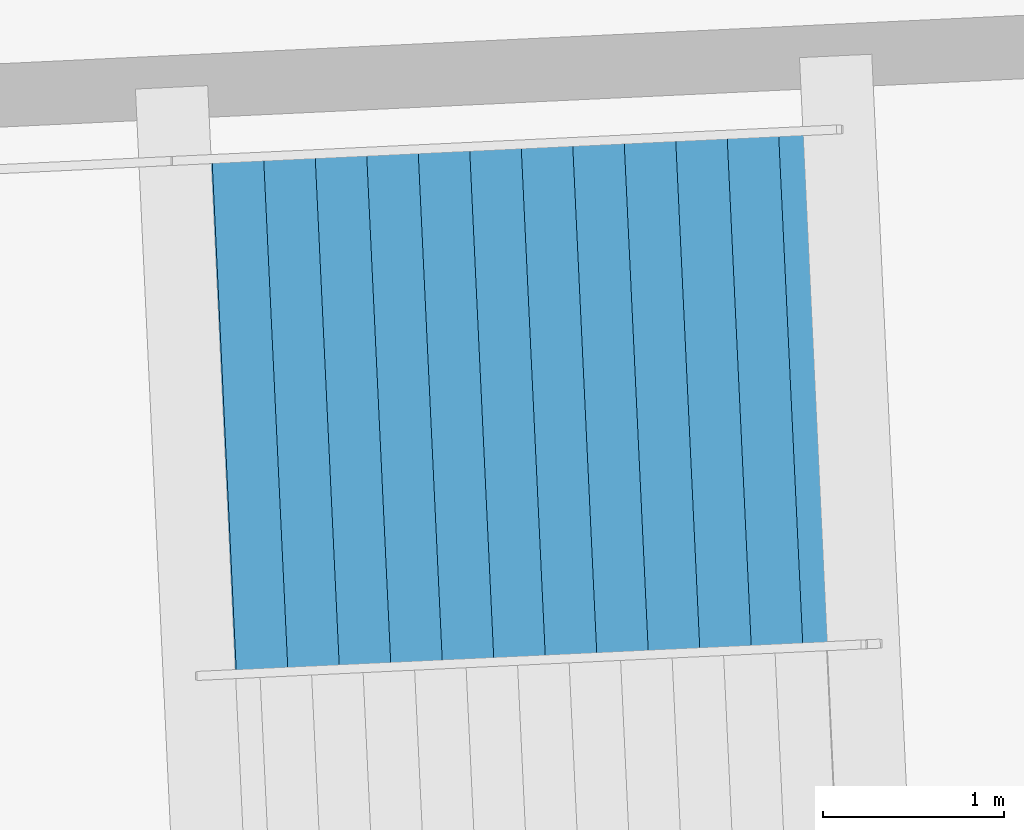
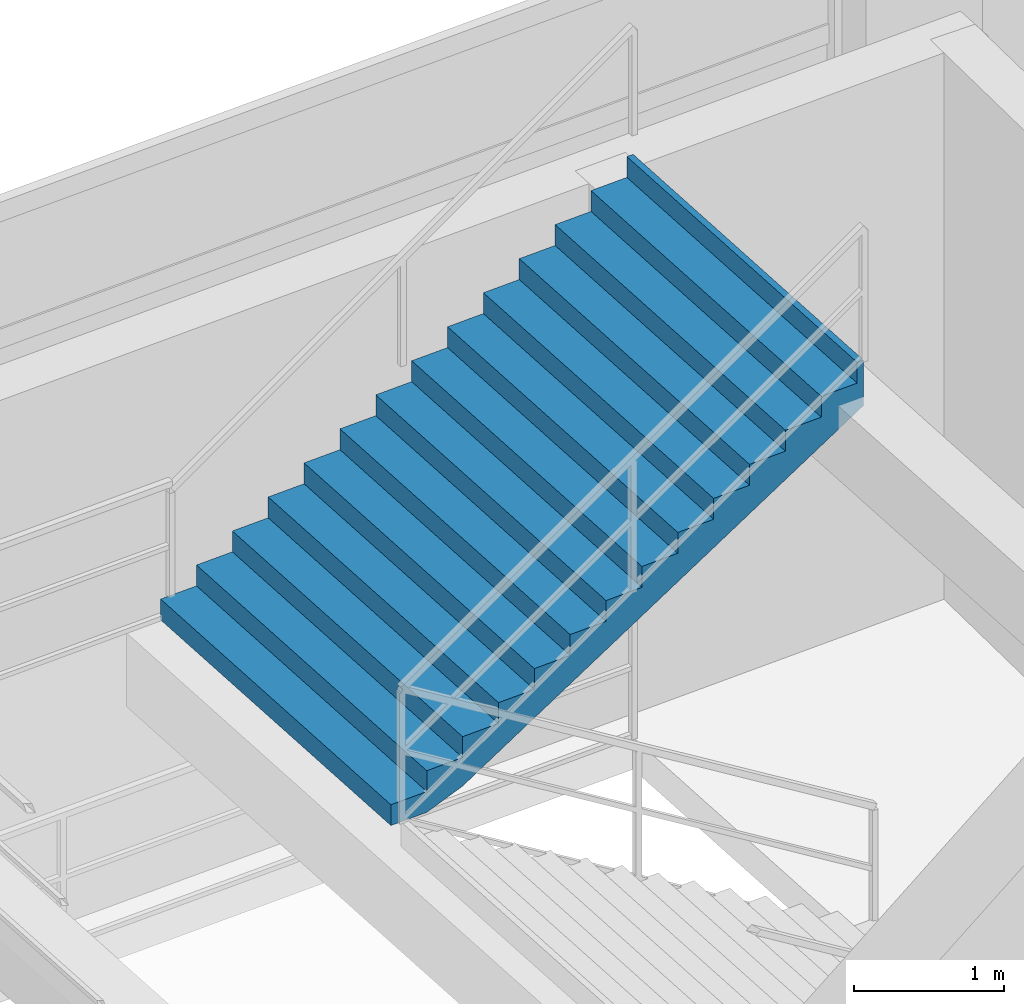
# One storey, part 159 of 171: 1 stair flight, 1 element without a shape of its own.
"""IFC4 building model written with IfcOpenShell, lengths in metres."""

from ifc_helpers import new_model, si_unit, direction, frame, origin, place, context, subcontext, project, spatial, polygons, material, type_object, element, aggregate, save


model = new_model("IFC4")

# Units and contexts
model_context = context("Model", 3, precision=1e-05, world=origin(), true_north=direction((0.0, 1.0)))
body_context = subcontext(model_context, "Body", "Model", "MODEL_VIEW")
ifc_project = project(units=[si_unit("LENGTHUNIT", "METRE"), si_unit("AREAUNIT", "SQUARE_METRE"), si_unit("VOLUMEUNIT", "CUBIC_METRE"), si_unit("PLANEANGLEUNIT", "RADIAN"), si_unit("MASSUNIT", "GRAM", prefix="KILO")], contexts=[model_context])

# Site, building, storey
site_placement = place(None, origin())
site = spatial("IfcSite", under=ifc_project, at=site_placement, CompositionType="ELEMENT")
building_placement = place(site_placement, origin())
building = spatial("IfcBuilding", under=site, at=building_placement, Name="Kazemori Nagisa Stadium", CompositionType="ELEMENT")
storey_placement = place(building_placement, frame((0.0, 0.0, 15.639892578125)))
storey = spatial("IfcBuildingStorey", under=building, at=storey_placement, Name="L03", CompositionType="ELEMENT", Elevation=15.639892578125)

# Stair, stair flight
ifc_material = material(Name="Concrete C36/45 (Fc36)", Category="concrete")
stair_type = type_object("IfcStairType", Name="Stair_CORE_28", PredefinedType="TWO_STRAIGHT_RUN_STAIR", material=ifc_material)
stair_placement = place(storey_placement, origin())
stair = element("IfcStair", 1, at=stair_placement, inside=storey, type_object=stair_type, Name="Exit stair ST05 L03", PredefinedType="TWO_STRAIGHT_RUN_STAIR")
stair_flight_type = type_object("IfcStairFlightType", Name="Flight_CORE_14", PredefinedType="STRAIGHT", material=ifc_material)
stair_flight_placement = place(storey_placement, frame((115.499755859375, 183.2314453125, 2.380126953125), z_axis=(0.0, 0.0, 1.0), x_axis=(0.998883292929, 0.047245815755, 0.0)))
stair_flight = element("IfcStairFlight", 2, at=stair_flight_placement, type_object=stair_flight_type, Name="Exit stair ST05 L03 flight 2", NumberOfRisers=14, NumberOfTreads=13, PredefinedType="STRAIGHT", RiserHeight=0.17, TreadLength=0.285, context=body_context, shape_type="Tessellation", body=[
    polygons([(0.0, -1.425048828125, 0.0), (0.0, -1.425048828125, 0.169921875), (0.284912109375, -1.425048828125, 0.169921875), (0.284912109375, -1.425048828125, 0.340087890625), (0.570068359375, -1.425048828125, 0.340087890625), (0.570068359375, -1.425048828125, 0.510009765625), (0.85498046875, -1.425048828125, 0.510009765625), (0.85498046875, -1.425048828125, 0.679931640625), (1.139892578125, -1.425048828125, 0.679931640625), (1.139892578125, -1.425048828125, 0.85009765625), (1.425048828125, -1.425048828125, 0.85009765625), (1.425048828125, -1.425048828125, 1.02001953125), (1.7099609375, -1.425048828125, 1.02001953125), (1.7099609375, -1.425048828125, 1.18994140625), (1.9951171875, -1.425048828125, 1.18994140625), (1.9951171875, -1.425048828125, 1.360107421875), (2.280029296875, -1.425048828125, 1.360107421875), (2.280029296875, -1.425048828125, 1.530029296875), (2.56494140625, -1.425048828125, 1.530029296875), (2.56494140625, -1.425048828125, 1.699951171875), (2.85009765625, -1.425048828125, 1.699951171875), (2.85009765625, -1.425048828125, 1.8701171875), (3.135009765625, -1.425048828125, 1.8701171875), (3.135009765625, -1.425048828125, 2.0400390625), (3.419921875, -1.425048828125, 2.0400390625), (3.419921875, -1.425048828125, 2.2099609375), (3.705078125, -1.425048828125, 2.2099609375), (3.705078125, -1.425048828125, 2.3798828125), (3.7548828125, -1.425048828125, 2.3798828125), (3.7548828125, -1.425048828125, 2.007080078125), (3.705078125, -1.425048828125, 1.977294921875), (3.419921875, -1.425048828125, 1.80712890625), (3.135009765625, -1.425048828125, 1.63720703125), (2.85009765625, -1.425048828125, 1.46728515625), (2.56494140625, -1.425048828125, 1.297119140625), (2.280029296875, -1.425048828125, 1.127197265625), (1.9951171875, -1.425048828125, 0.957275390625), (1.7099609375, -1.425048828125, 0.787109375), (1.425048828125, -1.425048828125, 0.6171875), (1.139892578125, -1.425048828125, 0.447265625), (0.85498046875, -1.425048828125, 0.277099609375), (0.570068359375, -1.425048828125, 0.107177734375), (0.284912109375, -1.425048828125, 0.0), (0.0, -0.08544921875, 0.0), (0.0, -0.08544921875, 0.169921875), (0.284912109375, -0.08544921875, 0.169921875), (0.284912109375, -0.08544921875, 0.340087890625), (0.570068359375, -0.08544921875, 0.340087890625), (0.570068359375, -0.08544921875, 0.510009765625), (0.85498046875, -0.08544921875, 0.510009765625), (0.85498046875, -0.08544921875, 0.679931640625), (1.139892578125, -0.08544921875, 0.679931640625), (1.139892578125, -0.08544921875, 0.85009765625), (1.425048828125, -0.08544921875, 0.85009765625), (1.425048828125, -0.08544921875, 1.02001953125), (1.7099609375, -0.08544921875, 1.02001953125), (1.7099609375, -0.08544921875, 1.18994140625), (1.9951171875, -0.08544921875, 1.18994140625), (1.9951171875, -0.08544921875, 1.360107421875), (2.280029296875, -0.08544921875, 1.360107421875), (2.280029296875, -0.08544921875, 1.530029296875), (2.56494140625, -0.08544921875, 1.530029296875), (2.56494140625, -0.08544921875, 1.699951171875), (2.85009765625, -0.08544921875, 1.699951171875), (2.85009765625, -0.08544921875, 1.8701171875), (3.135009765625, -0.08544921875, 1.8701171875), (3.135009765625, -0.08544921875, 2.0400390625), (3.419921875, -0.08544921875, 2.0400390625), (3.419921875, -0.08544921875, 2.2099609375), (3.705078125, -0.08544921875, 2.2099609375), (3.705078125, -0.08544921875, 2.3798828125), (3.7548828125, -0.08544921875, 2.3798828125), (3.7548828125, -0.08544921875, 2.007080078125), (3.705078125, -0.08544921875, 1.977294921875), (3.419921875, -0.08544921875, 1.80712890625), (3.135009765625, -0.08544921875, 1.63720703125), (2.85009765625, -0.08544921875, 1.46728515625), (2.56494140625, -0.08544921875, 1.297119140625), (2.280029296875, -0.08544921875, 1.127197265625), (1.9951171875, -0.08544921875, 0.957275390625), (1.7099609375, -0.08544921875, 0.787109375), (1.425048828125, -0.08544921875, 0.6171875), (1.139892578125, -0.08544921875, 0.447265625), (0.85498046875, -0.08544921875, 0.277099609375), (0.570068359375, -0.08544921875, 0.107177734375), (0.284912109375, -0.08544921875, 0.0), (0.0, 0.0, 0.0), (0.0, 0.0, 0.169921875), (0.284912109375, 0.0, 0.169921875), (0.284912109375, 0.0, 0.340087890625), (0.570068359375, 0.0, 0.340087890625), (0.570068359375, 0.0, 0.510009765625), (0.85498046875, 0.0, 0.510009765625), (0.85498046875, 0.0, 0.679931640625), (1.139892578125, 0.0, 0.679931640625), (1.139892578125, 0.0, 0.85009765625), (1.425048828125, 0.0, 0.85009765625), (1.425048828125, 0.0, 1.02001953125), (1.7099609375, 0.0, 1.02001953125), (1.7099609375, 0.0, 1.18994140625), (1.9951171875, 0.0, 1.18994140625), (1.9951171875, 0.0, 1.360107421875), (2.280029296875, 0.0, 1.360107421875), (2.280029296875, 0.0, 1.530029296875), (2.56494140625, 0.0, 1.530029296875), (2.56494140625, 0.0, 1.699951171875), (2.85009765625, 0.0, 1.699951171875), (2.85009765625, 0.0, 1.8701171875), (3.135009765625, 0.0, 1.8701171875), (3.135009765625, 0.0, 2.0400390625), (3.419921875, 0.0, 2.0400390625), (3.419921875, 0.0, 2.2099609375), (3.705078125, 0.0, 2.2099609375), (3.705078125, 0.0, 2.3798828125), (3.7548828125, 0.0, 2.3798828125), (3.7548828125, 0.0, 2.007080078125), (3.705078125, 0.0, 1.977294921875), (3.419921875, 0.0, 1.80712890625), (3.135009765625, 0.0, 1.63720703125), (2.85009765625, 0.0, 1.46728515625), (2.56494140625, 0.0, 1.297119140625), (2.280029296875, 0.0, 1.127197265625), (1.9951171875, 0.0, 0.957275390625), (1.7099609375, 0.0, 0.787109375), (1.425048828125, 0.0, 0.6171875), (1.139892578125, 0.0, 0.447265625), (0.85498046875, 0.0, 0.277099609375), (0.570068359375, 0.0, 0.107177734375), (0.284912109375, 0.0, 0.0), (0.0, 0.08544921875, 0.0), (0.0, 0.08544921875, 0.169921875), (0.284912109375, 0.08544921875, 0.169921875), (0.284912109375, 0.08544921875, 0.340087890625), (0.570068359375, 0.08544921875, 0.340087890625), (0.570068359375, 0.08544921875, 0.510009765625), (0.85498046875, 0.08544921875, 0.510009765625), (0.85498046875, 0.08544921875, 0.679931640625), (1.139892578125, 0.08544921875, 0.679931640625), (1.139892578125, 0.08544921875, 0.85009765625), (1.425048828125, 0.08544921875, 0.85009765625), (1.425048828125, 0.08544921875, 1.02001953125), (1.7099609375, 0.08544921875, 1.02001953125), (1.7099609375, 0.08544921875, 1.18994140625), (1.9951171875, 0.08544921875, 1.18994140625), (1.9951171875, 0.08544921875, 1.360107421875), (2.280029296875, 0.08544921875, 1.360107421875), (2.280029296875, 0.08544921875, 1.530029296875), (2.56494140625, 0.08544921875, 1.530029296875), (2.56494140625, 0.08544921875, 1.699951171875), (2.85009765625, 0.08544921875, 1.699951171875), (2.85009765625, 0.08544921875, 1.8701171875), (3.135009765625, 0.08544921875, 1.8701171875), (3.135009765625, 0.08544921875, 2.0400390625), (3.419921875, 0.08544921875, 2.0400390625), (3.419921875, 0.08544921875, 2.2099609375), (3.705078125, 0.08544921875, 2.2099609375), (3.705078125, 0.08544921875, 2.3798828125), (3.7548828125, 0.08544921875, 2.3798828125), (3.7548828125, 0.08544921875, 2.007080078125), (3.705078125, 0.08544921875, 1.977294921875), (3.419921875, 0.08544921875, 1.80712890625), (3.135009765625, 0.08544921875, 1.63720703125), (2.85009765625, 0.08544921875, 1.46728515625), (2.56494140625, 0.08544921875, 1.297119140625), (2.280029296875, 0.08544921875, 1.127197265625), (1.9951171875, 0.08544921875, 0.957275390625), (1.7099609375, 0.08544921875, 0.787109375), (1.425048828125, 0.08544921875, 0.6171875), (1.139892578125, 0.08544921875, 0.447265625), (0.85498046875, 0.08544921875, 0.277099609375), (0.570068359375, 0.08544921875, 0.107177734375), (0.284912109375, 0.08544921875, 0.0), (0.0, 1.425048828125, 0.0), (0.0, 1.425048828125, 0.169921875), (0.284912109375, 1.425048828125, 0.169921875), (0.284912109375, 1.425048828125, 0.340087890625), (0.570068359375, 1.425048828125, 0.340087890625), (0.570068359375, 1.425048828125, 0.510009765625), (0.85498046875, 1.425048828125, 0.510009765625), (0.85498046875, 1.425048828125, 0.679931640625), (1.139892578125, 1.425048828125, 0.679931640625), (1.139892578125, 1.425048828125, 0.85009765625), (1.425048828125, 1.425048828125, 0.85009765625), (1.425048828125, 1.425048828125, 1.02001953125), (1.7099609375, 1.425048828125, 1.02001953125), (1.7099609375, 1.425048828125, 1.18994140625), (1.9951171875, 1.425048828125, 1.18994140625), (1.9951171875, 1.425048828125, 1.360107421875), (2.280029296875, 1.425048828125, 1.360107421875), (2.280029296875, 1.425048828125, 1.530029296875), (2.56494140625, 1.425048828125, 1.530029296875), (2.56494140625, 1.425048828125, 1.699951171875), (2.85009765625, 1.425048828125, 1.699951171875), (2.85009765625, 1.425048828125, 1.8701171875), (3.135009765625, 1.425048828125, 1.8701171875), (3.135009765625, 1.425048828125, 2.0400390625), (3.419921875, 1.425048828125, 2.0400390625), (3.419921875, 1.425048828125, 2.2099609375), (3.705078125, 1.425048828125, 2.2099609375), (3.705078125, 1.425048828125, 2.3798828125), (3.7548828125, 1.425048828125, 2.3798828125), (3.7548828125, 1.425048828125, 2.007080078125), (3.705078125, 1.425048828125, 1.977294921875), (3.419921875, 1.425048828125, 1.80712890625), (3.135009765625, 1.425048828125, 1.63720703125), (2.85009765625, 1.425048828125, 1.46728515625), (2.56494140625, 1.425048828125, 1.297119140625), (2.280029296875, 1.425048828125, 1.127197265625), (1.9951171875, 1.425048828125, 0.957275390625), (1.7099609375, 1.425048828125, 0.787109375), (1.425048828125, 1.425048828125, 0.6171875), (1.139892578125, 1.425048828125, 0.447265625), (0.85498046875, 1.425048828125, 0.277099609375), (0.570068359375, 1.425048828125, 0.107177734375), (0.284912109375, 1.425048828125, 0.0)], [[[1, 2, 45]], [[1, 45, 44]], [[2, 3, 46]], [[2, 46, 45]], [[3, 4, 47]], [[3, 47, 46]], [[4, 5, 48]], [[4, 48, 47]], [[5, 6, 49]], [[5, 49, 48]], [[6, 7, 50]], [[6, 50, 49]], [[7, 8, 51]], [[7, 51, 50]], [[8, 9, 52]], [[8, 52, 51]], [[9, 10, 53]], [[9, 53, 52]], [[10, 11, 54]], [[10, 54, 53]], [[11, 12, 55]], [[11, 55, 54]], [[12, 13, 56]], [[12, 56, 55]], [[13, 14, 57]], [[13, 57, 56]], [[14, 15, 58]], [[14, 58, 57]], [[15, 16, 59]], [[15, 59, 58]], [[16, 17, 60]], [[16, 60, 59]], [[17, 18, 61]], [[17, 61, 60]], [[18, 19, 62]], [[18, 62, 61]], [[19, 20, 63]], [[19, 63, 62]], [[20, 21, 64]], [[20, 64, 63]], [[21, 22, 65]], [[21, 65, 64]], [[22, 23, 66]], [[22, 66, 65]], [[23, 24, 67]], [[23, 67, 66]], [[24, 25, 68]], [[24, 68, 67]], [[25, 26, 69]], [[25, 69, 68]], [[26, 27, 70]], [[26, 70, 69]], [[27, 28, 71]], [[27, 71, 70]], [[28, 29, 72]], [[28, 72, 71]], [[29, 30, 73]], [[29, 73, 72]], [[30, 31, 74]], [[30, 74, 73]], [[31, 32, 75]], [[31, 75, 74]], [[32, 33, 76]], [[32, 76, 75]], [[33, 34, 77]], [[33, 77, 76]], [[34, 35, 78]], [[34, 78, 77]], [[35, 36, 79]], [[35, 79, 78]], [[36, 37, 80]], [[36, 80, 79]], [[37, 38, 81]], [[37, 81, 80]], [[38, 39, 82]], [[38, 82, 81]], [[39, 40, 83]], [[39, 83, 82]], [[40, 41, 84]], [[40, 84, 83]], [[41, 42, 85]], [[41, 85, 84]], [[42, 43, 86]], [[42, 86, 85]], [[43, 1, 44]], [[43, 44, 86]], [[44, 45, 88]], [[44, 88, 87]], [[45, 46, 89]], [[45, 89, 88]], [[46, 47, 90]], [[46, 90, 89]], [[47, 48, 91]], [[47, 91, 90]], [[48, 49, 92]], [[48, 92, 91]], [[49, 50, 93]], [[49, 93, 92]], [[50, 51, 94]], [[50, 94, 93]], [[51, 52, 95]], [[51, 95, 94]], [[52, 53, 96]], [[52, 96, 95]], [[53, 54, 97]], [[53, 97, 96]], [[54, 55, 98]], [[54, 98, 97]], [[55, 56, 99]], [[55, 99, 98]], [[56, 57, 100]], [[56, 100, 99]], [[57, 58, 101]], [[57, 101, 100]], [[58, 59, 102]], [[58, 102, 101]], [[59, 60, 103]], [[59, 103, 102]], [[60, 61, 104]], [[60, 104, 103]], [[61, 62, 105]], [[61, 105, 104]], [[62, 63, 106]], [[62, 106, 105]], [[63, 64, 107]], [[63, 107, 106]], [[64, 65, 108]], [[64, 108, 107]], [[65, 66, 109]], [[65, 109, 108]], [[66, 67, 110]], [[66, 110, 109]], [[67, 68, 111]], [[67, 111, 110]], [[68, 69, 112]], [[68, 112, 111]], [[69, 70, 113]], [[69, 113, 112]], [[70, 71, 114]], [[70, 114, 113]], [[71, 72, 115]], [[71, 115, 114]], [[72, 73, 116]], [[72, 116, 115]], [[73, 74, 117]], [[73, 117, 116]], [[74, 75, 118]], [[74, 118, 117]], [[75, 76, 119]], [[75, 119, 118]], [[76, 77, 120]], [[76, 120, 119]], [[77, 78, 121]], [[77, 121, 120]], [[78, 79, 122]], [[78, 122, 121]], [[79, 80, 123]], [[79, 123, 122]], [[80, 81, 124]], [[80, 124, 123]], [[81, 82, 125]], [[81, 125, 124]], [[82, 83, 126]], [[82, 126, 125]], [[83, 84, 127]], [[83, 127, 126]], [[84, 85, 128]], [[84, 128, 127]], [[85, 86, 129]], [[85, 129, 128]], [[86, 44, 87]], [[86, 87, 129]], [[87, 88, 131]], [[87, 131, 130]], [[88, 89, 132]], [[88, 132, 131]], [[89, 90, 133]], [[89, 133, 132]], [[90, 91, 134]], [[90, 134, 133]], [[91, 92, 135]], [[91, 135, 134]], [[92, 93, 136]], [[92, 136, 135]], [[93, 94, 137]], [[93, 137, 136]], [[94, 95, 138]], [[94, 138, 137]], [[95, 96, 139]], [[95, 139, 138]], [[96, 97, 140]], [[96, 140, 139]], [[97, 98, 141]], [[97, 141, 140]], [[98, 99, 142]], [[98, 142, 141]], [[99, 100, 143]], [[99, 143, 142]], [[100, 101, 144]], [[100, 144, 143]], [[101, 102, 145]], [[101, 145, 144]], [[102, 103, 146]], [[102, 146, 145]], [[103, 104, 147]], [[103, 147, 146]], [[104, 105, 148]], [[104, 148, 147]], [[105, 106, 149]], [[105, 149, 148]], [[106, 107, 150]], [[106, 150, 149]], [[107, 108, 151]], [[107, 151, 150]], [[108, 109, 152]], [[108, 152, 151]], [[109, 110, 153]], [[109, 153, 152]], [[110, 111, 154]], [[110, 154, 153]], [[111, 112, 155]], [[111, 155, 154]], [[112, 113, 156]], [[112, 156, 155]], [[113, 114, 157]], [[113, 157, 156]], [[114, 115, 158]], [[114, 158, 157]], [[115, 116, 159]], [[115, 159, 158]], [[116, 117, 160]], [[116, 160, 159]], [[117, 118, 161]], [[117, 161, 160]], [[118, 119, 162]], [[118, 162, 161]], [[119, 120, 163]], [[119, 163, 162]], [[120, 121, 164]], [[120, 164, 163]], [[121, 122, 165]], [[121, 165, 164]], [[122, 123, 166]], [[122, 166, 165]], [[123, 124, 167]], [[123, 167, 166]], [[124, 125, 168]], [[124, 168, 167]], [[125, 126, 169]], [[125, 169, 168]], [[126, 127, 170]], [[126, 170, 169]], [[127, 128, 171]], [[127, 171, 170]], [[128, 129, 172]], [[128, 172, 171]], [[129, 87, 130]], [[129, 130, 172]], [[130, 131, 174]], [[130, 174, 173]], [[131, 132, 175]], [[131, 175, 174]], [[132, 133, 176]], [[132, 176, 175]], [[133, 134, 177]], [[133, 177, 176]], [[134, 135, 178]], [[134, 178, 177]], [[135, 136, 179]], [[135, 179, 178]], [[136, 137, 180]], [[136, 180, 179]], [[137, 138, 181]], [[137, 181, 180]], [[138, 139, 182]], [[138, 182, 181]], [[139, 140, 183]], [[139, 183, 182]], [[140, 141, 184]], [[140, 184, 183]], [[141, 142, 185]], [[141, 185, 184]], [[142, 143, 186]], [[142, 186, 185]], [[143, 144, 187]], [[143, 187, 186]], [[144, 145, 188]], [[144, 188, 187]], [[145, 146, 189]], [[145, 189, 188]], [[146, 147, 190]], [[146, 190, 189]], [[147, 148, 191]], [[147, 191, 190]], [[148, 149, 192]], [[148, 192, 191]], [[149, 150, 193]], [[149, 193, 192]], [[150, 151, 194]], [[150, 194, 193]], [[151, 152, 195]], [[151, 195, 194]], [[152, 153, 196]], [[152, 196, 195]], [[153, 154, 197]], [[153, 197, 196]], [[154, 155, 198]], [[154, 198, 197]], [[155, 156, 199]], [[155, 199, 198]], [[156, 157, 200]], [[156, 200, 199]], [[157, 158, 201]], [[157, 201, 200]], [[158, 159, 202]], [[158, 202, 201]], [[159, 160, 203]], [[159, 203, 202]], [[160, 161, 204]], [[160, 204, 203]], [[161, 162, 205]], [[161, 205, 204]], [[162, 163, 206]], [[162, 206, 205]], [[163, 164, 207]], [[163, 207, 206]], [[164, 165, 208]], [[164, 208, 207]], [[165, 166, 209]], [[165, 209, 208]], [[166, 167, 210]], [[166, 210, 209]], [[167, 168, 211]], [[167, 211, 210]], [[168, 169, 212]], [[168, 212, 211]], [[169, 170, 213]], [[169, 213, 212]], [[170, 171, 214]], [[170, 214, 213]], [[171, 172, 215]], [[171, 215, 214]], [[172, 130, 173]], [[172, 173, 215]], [[3, 2, 1]], [[173, 174, 175]], [[43, 3, 1]], [[173, 175, 215]], [[42, 3, 43]], [[215, 175, 214]], [[5, 3, 42]], [[214, 175, 177]], [[5, 4, 3]], [[175, 176, 177]], [[41, 5, 42]], [[214, 177, 213]], [[7, 5, 41]], [[213, 177, 179]], [[7, 6, 5]], [[177, 178, 179]], [[40, 7, 41]], [[213, 179, 212]], [[9, 7, 40]], [[212, 179, 181]], [[9, 8, 7]], [[179, 180, 181]], [[39, 9, 40]], [[212, 181, 211]], [[11, 9, 39]], [[211, 181, 183]], [[11, 10, 9]], [[181, 182, 183]], [[38, 11, 39]], [[211, 183, 210]], [[13, 11, 38]], [[210, 183, 185]], [[13, 12, 11]], [[183, 184, 185]], [[37, 13, 38]], [[210, 185, 209]], [[15, 13, 37]], [[209, 185, 187]], [[15, 14, 13]], [[185, 186, 187]], [[36, 15, 37]], [[209, 187, 208]], [[17, 15, 36]], [[208, 187, 189]], [[17, 16, 15]], [[187, 188, 189]], [[35, 17, 36]], [[208, 189, 207]], [[19, 17, 35]], [[207, 189, 191]], [[19, 18, 17]], [[189, 190, 191]], [[34, 19, 35]], [[207, 191, 206]], [[21, 19, 34]], [[206, 191, 193]], [[21, 20, 19]], [[191, 192, 193]], [[33, 21, 34]], [[206, 193, 205]], [[23, 21, 33]], [[205, 193, 195]], [[23, 22, 21]], [[193, 194, 195]], [[32, 23, 33]], [[205, 195, 204]], [[25, 23, 32]], [[204, 195, 197]], [[25, 24, 23]], [[195, 196, 197]], [[31, 25, 32]], [[204, 197, 203]], [[27, 25, 31]], [[203, 197, 199]], [[27, 26, 25]], [[197, 198, 199]], [[30, 27, 31]], [[203, 199, 202]], [[29, 27, 30]], [[202, 199, 201]], [[29, 28, 27]], [[199, 200, 201]]], closed=True),
])
aggregate(stair, [stair_flight])

save(model, "model.ifc")
